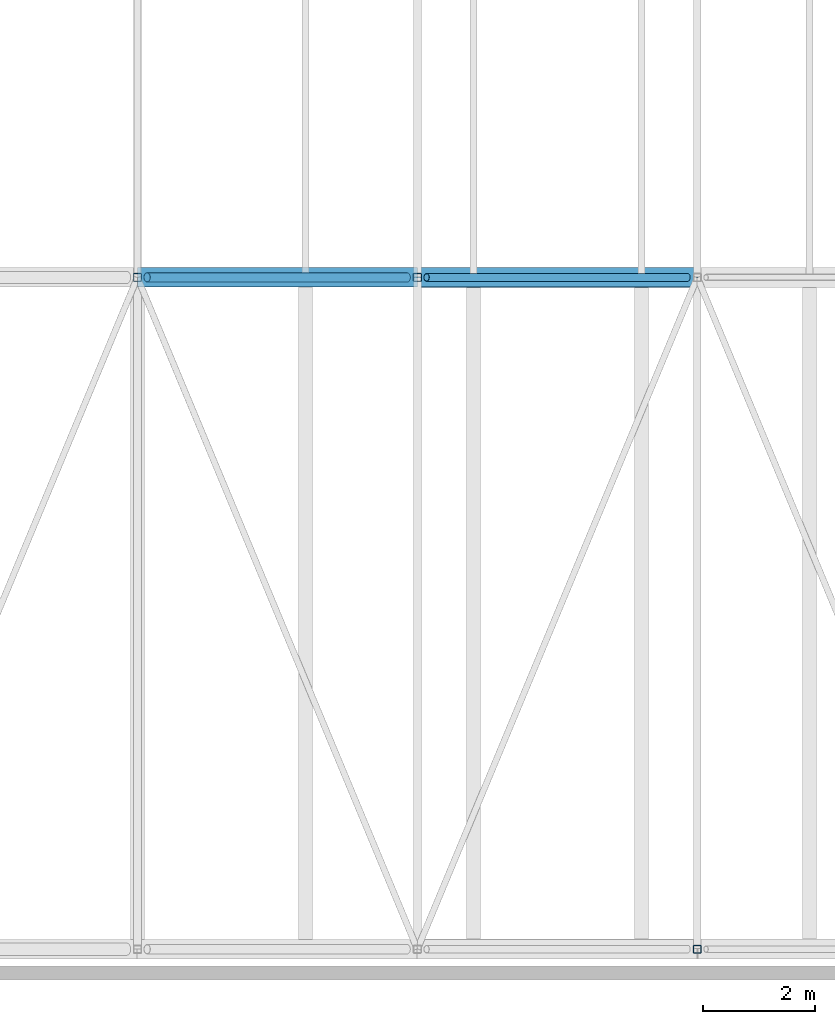
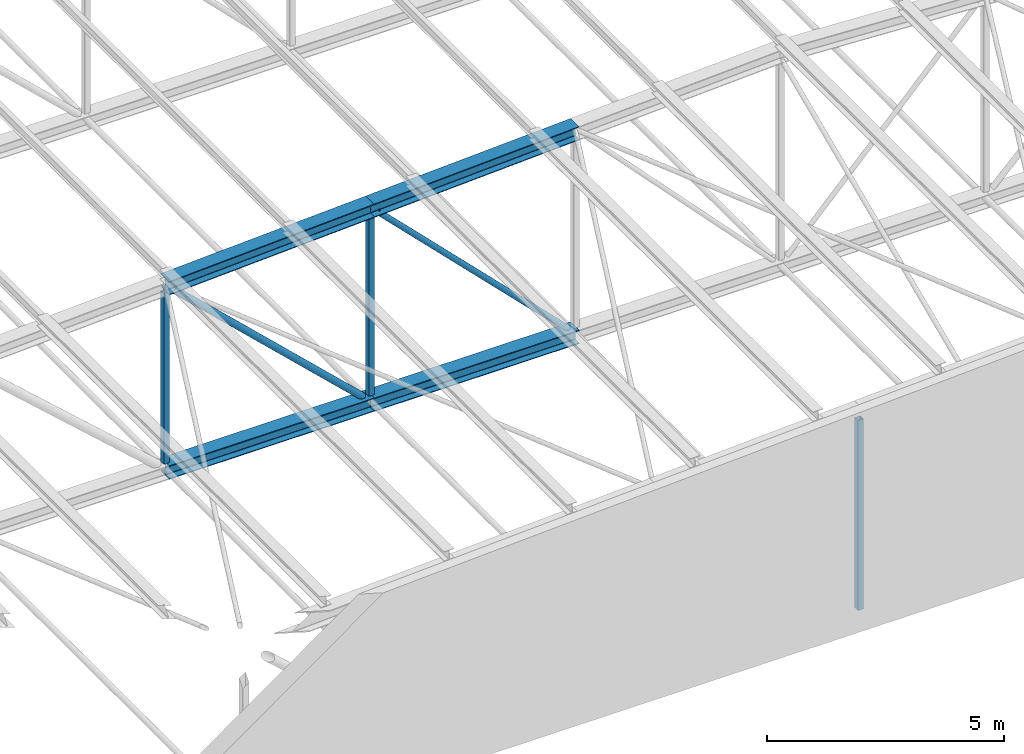
# One storey, part 15 of 156: 9 members.
"""IFC4 building model written with IfcOpenShell, lengths in metres."""

from ifc_helpers import new_model, si_unit, direction, frame, origin, origin_2d, place, context, subcontext, project, spatial, hollow_rectangle, hollow_circle, i_section, extrude, material, material_profile, profile_set, type_object, element, save


model = new_model("IFC4")

# Units and contexts
model_context = context("Model", 3, precision=1e-05, world=origin(), true_north=direction((0.0, 1.0)))
body_context = subcontext(model_context, "Body", "Model", "MODEL_VIEW")
ifc_project = project(units=[si_unit("LENGTHUNIT", "METRE"), si_unit("AREAUNIT", "SQUARE_METRE"), si_unit("VOLUMEUNIT", "CUBIC_METRE"), si_unit("PLANEANGLEUNIT", "RADIAN"), si_unit("MASSUNIT", "GRAM", prefix="KILO")], contexts=[model_context])

# Site, building, storey
site_placement = place(None, origin())
site = spatial("IfcSite", under=ifc_project, at=site_placement, CompositionType="ELEMENT")
building_placement = place(site_placement, origin())
building = spatial("IfcBuilding", under=site, at=building_placement, Name="Lilac Gate Convention Centre", CompositionType="ELEMENT")
storey_placement = place(building_placement, frame((0.0, 0.0, 17.0)))
storey = spatial("IfcBuildingStorey", under=building, at=storey_placement, Name="L03", CompositionType="ELEMENT", Elevation=17.0)

# Members
ifc_material = material(Name="Steel Q355B", Category="steel")
ifc_material_profile_1 = material_profile(ifc_material, i_section(OverallWidth=0.35009765625, OverallDepth=0.35009765625, WebThickness=0.011962890625, FlangeThickness=0.01904296875, FilletRadius=0.012939453125, at=origin_2d()), Name="HW350x350x12x19")
ifc_profile_set_1 = profile_set([ifc_material_profile_1], Name="Steel Q355B")
member_type_1 = type_object("IfcMemberType", Name="Truss bottom chord HW350x350x12x19", PredefinedType="CHORD", material=ifc_profile_set_1)
member_1_placement = place(storey_placement, frame((45.0, 42.0, 0.0), z_axis=(1.0, 0.0, 0.0), x_axis=(0.0, 1.0, 0.0)))
element("IfcMember", 1, at=member_1_placement, inside=storey, type_object=member_type_1, Name="TB2 truss 2 bottom chord 4", PredefinedType="CHORD", context=body_context, shape_type="SweptSolid", body=[
    extrude(i_section(OverallWidth=0.35009765625, OverallDepth=0.35009765625, WebThickness=0.011962890625, FlangeThickness=0.01904296875, FilletRadius=0.012939453125, at=origin_2d()), origin(), (0.0, 0.0, 1.0), 5.0),
])
ifc_material_profile_2 = material_profile(ifc_material, i_section(OverallWidth=0.35693359375, OverallDepth=0.35009765625, WebThickness=0.01904296875, FlangeThickness=0.01904296875, FilletRadius=0.012939453125, at=origin_2d()), Name="HW350x357x19x19")
ifc_profile_set_2 = profile_set([ifc_material_profile_2], Name="Steel Q355B")
member_type_2 = type_object("IfcMemberType", Name="Truss bottom chord HW350x357x19x19", PredefinedType="CHORD", material=ifc_profile_set_2)
member_2_placement = place(storey_placement, frame((50.0, 42.0, 0.0), z_axis=(1.0, 0.0, 0.0), x_axis=(0.0, 1.0, 0.0)))
element("IfcMember", 2, at=member_2_placement, inside=storey, type_object=member_type_2, Name="TB3 truss 2 bottom chord 5", PredefinedType="CHORD", context=body_context, shape_type="SweptSolid", body=[
    extrude(i_section(OverallWidth=0.35693359375, OverallDepth=0.35009765625, WebThickness=0.01904296875, FlangeThickness=0.01904296875, FilletRadius=0.012939453125, at=origin_2d()), origin(), (0.0, 0.0, 1.0), 5.0),
])
ifc_material_profile_3 = material_profile(ifc_material, hollow_circle(Radius=0.06982421875, WallThickness=0.006103515625, at=origin_2d()), Name="CHS139.7x6")
ifc_profile_set_3 = profile_set([ifc_material_profile_3], Name="Steel Q355B")
member_type_3 = type_object("IfcMemberType", Name="Truss diagonal CHS139.7x6", PredefinedType="BRACE", material=ifc_profile_set_3)
member_3_placement = place(storey_placement, frame((50.164306640625, 42.0, 4.835693359375), z_axis=(0.707106781187, 0.0, -0.707106781187), x_axis=(0.0, 1.0, 0.0)))
element("IfcMember", 3, at=member_3_placement, inside=storey, type_object=member_type_3, Name="TW5 truss 2 diagonal 5", PredefinedType="BRACE", context=body_context, shape_type="SweptSolid", body=[
    extrude(hollow_circle(Radius=0.06982421875, WallThickness=0.006103515625, at=origin_2d()), origin(), (0.0, 0.0, 1.0), 6.591064453125),
])
ifc_material_profile_4 = material_profile(ifc_material, hollow_circle(Radius=0.084228515625, WallThickness=0.006103515625, at=origin_2d()), Name="CHS168.3x6")
ifc_profile_set_4 = profile_set([ifc_material_profile_4], Name="Steel Q355B")
member_type_4 = type_object("IfcMemberType", Name="Truss diagonal CHS168.3x6", PredefinedType="BRACE", material=ifc_profile_set_4)
member_4_placement = place(storey_placement, frame((45.1728515625, 42.0, 4.585693359375), z_axis=(0.725020373275, 0.0, -0.688727419475), x_axis=(0.0, 1.0, 0.0)))
element("IfcMember", 4, at=member_4_placement, inside=storey, type_object=member_type_4, Name="TW4 truss 2 diagonal 4", PredefinedType="BRACE", context=body_context, shape_type="SweptSolid", body=[
    extrude(hollow_circle(Radius=0.084228515625, WallThickness=0.006103515625, at=origin_2d()), origin(), (0.0, 0.0, 1.0), 6.404052734375),
])
ifc_material_profile_5 = material_profile(ifc_material, i_section(OverallWidth=0.35009765625, OverallDepth=0.35009765625, WebThickness=0.011962890625, FlangeThickness=0.01904296875, FilletRadius=0.012939453125, at=origin_2d()), Name="HW350x350x12x19")
ifc_profile_set_5 = profile_set([ifc_material_profile_5], Name="Steel Q355B")
member_type_5 = type_object("IfcMemberType", Name="Truss top chord HW350x350x12x19", PredefinedType="CHORD", material=ifc_profile_set_5)
for number, where, z_axis, x_axis, name in (
    (5, (45.0, 42.0, 4.75), (0.998752338878, 0.0, 0.049937616944), (0.0, 1.0, 0.0), "TT2 truss 2 top chord 4"),
    (6, (50.0, 42.0, 5.0), (0.998752338878, 0.0, 0.049937616944), (0.0, 1.0, 0.0), "TT2 truss 2 top chord 5"),
):
    element("IfcMember", number, at=place(storey_placement, frame(where, z_axis=z_axis, x_axis=x_axis)), inside=storey, type_object=member_type_5, Name=name, PredefinedType="CHORD", context=body_context, shape_type="SweptSolid", body=[
        extrude(i_section(OverallWidth=0.35009765625, OverallDepth=0.35009765625, WebThickness=0.011962890625, FlangeThickness=0.01904296875, FilletRadius=0.012939453125, at=origin_2d()), origin(), (0.0, 0.0, 1.0), 5.00634765625),
    ])
ifc_material_profile_6 = material_profile(ifc_material, hollow_rectangle(XDim=0.139892578125, YDim=0.139892578125, WallThickness=0.0048828125, InnerFilletRadius=0.0048828125, OuterFilletRadius=0.010009765625, at=origin_2d()), Name="SHS140x140x5")
ifc_profile_set_6 = profile_set([ifc_material_profile_6], Name="Steel Q355B")
member_type_6 = type_object("IfcMemberType", Name="Truss vertical SHS140x140x5", PredefinedType="STRUT", material=ifc_profile_set_6)
member_5_placement = place(storey_placement, frame((55.0, 30.0, 0.175048828125), z_axis=(0.0, 0.0, 1.0), x_axis=(1.0, 0.0, 0.0)))
element("IfcMember", 7, at=member_5_placement, inside=storey, type_object=member_type_6, Name="TV4 truss 1 vertical 6", PredefinedType="STRUT", context=body_context, shape_type="SweptSolid", body=[
    extrude(hollow_rectangle(XDim=0.139892578125, YDim=0.139892578125, WallThickness=0.0048828125, InnerFilletRadius=0.0048828125, OuterFilletRadius=0.010009765625, at=origin_2d()), origin(), (0.0, 0.0, 1.0), 4.899658203125),
])
member_6_placement = place(storey_placement, frame((45.0, 42.0, 0.175048828125), z_axis=(0.0, 0.0, 1.0), x_axis=(1.0, 0.0, 0.0)))
element("IfcMember", 8, at=member_6_placement, inside=storey, type_object=member_type_6, Name="TV4 truss 2 vertical 4", PredefinedType="STRUT", context=body_context, shape_type="SweptSolid", body=[
    extrude(hollow_rectangle(XDim=0.139892578125, YDim=0.139892578125, WallThickness=0.0048828125, InnerFilletRadius=0.0048828125, OuterFilletRadius=0.010009765625, at=origin_2d()), origin(), (0.0, 0.0, 1.0), 4.399658203125),
])
member_7_placement = place(storey_placement, frame((50.0, 42.0, 0.175048828125), z_axis=(0.0, 0.0, 1.0), x_axis=(1.0, 0.0, 0.0)))
element("IfcMember", 9, at=member_7_placement, inside=storey, type_object=member_type_6, Name="TV4 truss 2 vertical 5", PredefinedType="STRUT", context=body_context, shape_type="SweptSolid", body=[
    extrude(hollow_rectangle(XDim=0.139892578125, YDim=0.139892578125, WallThickness=0.0048828125, InnerFilletRadius=0.0048828125, OuterFilletRadius=0.010009765625, at=origin_2d()), origin(), (0.0, 0.0, 1.0), 4.649658203125),
])

save(model, "model.ifc")
